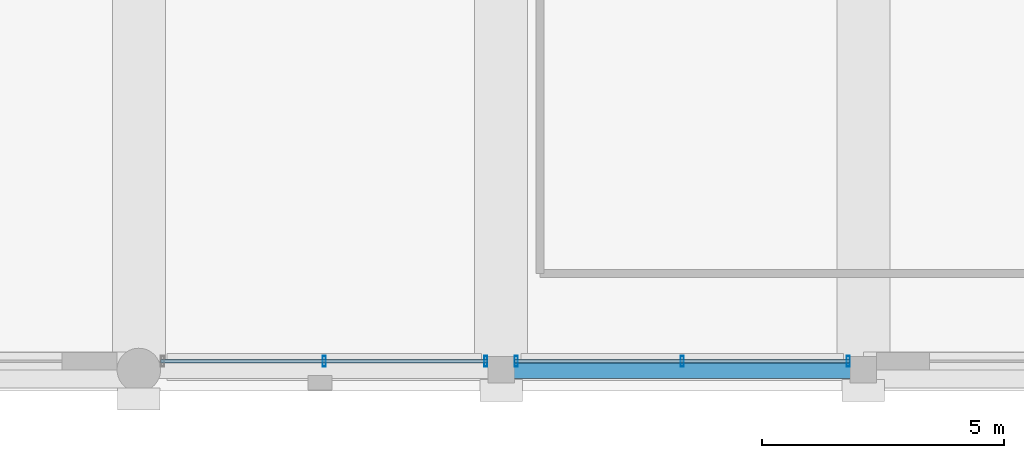
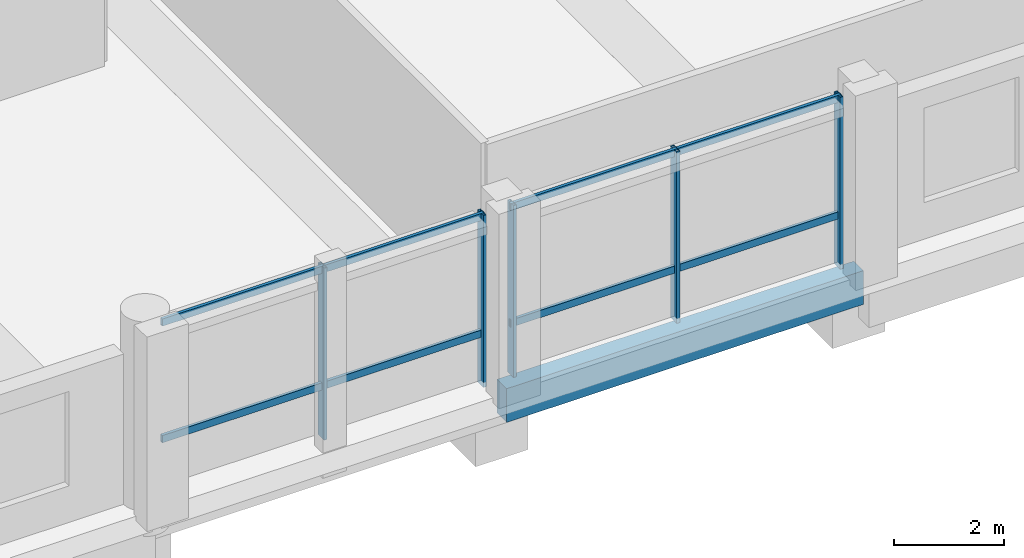
# One storey, part 15 of 68: 9 members, 1 beam, 2 elements without a shape of their own.
"""IFC4 building model written with IfcOpenShell, lengths in metres."""

from ifc_helpers import new_model, si_unit, direction, frame, origin, origin_2d, place, context, subcontext, project, spatial, rectangle, hollow_rectangle, extrude, material, material_profile, profile_set, type_object, element, aggregate, save


model = new_model("IFC4")

# Units and contexts
model_context = context("Model", 3, precision=1e-05, world=origin(), true_north=direction((0.0, 1.0)))
body_context = subcontext(model_context, "Body", "Model", "MODEL_VIEW")
ifc_project = project(units=[si_unit("LENGTHUNIT", "METRE"), si_unit("AREAUNIT", "SQUARE_METRE"), si_unit("VOLUMEUNIT", "CUBIC_METRE"), si_unit("PLANEANGLEUNIT", "RADIAN"), si_unit("MASSUNIT", "GRAM", prefix="KILO")], contexts=[model_context])

# Site, building, storey
site_placement = place(None, origin())
site = spatial("IfcSite", under=ifc_project, at=site_placement, CompositionType="ELEMENT")
building_placement = place(site_placement, origin())
building = spatial("IfcBuilding", under=site, at=building_placement, Name="Akrevak Sports Hall", CompositionType="ELEMENT")
storey_placement = place(building_placement, frame((0.0, 0.0, 9.39990234375)))
storey = spatial("IfcBuildingStorey", under=building, at=storey_placement, Name="L02", CompositionType="ELEMENT", Elevation=9.39990234375)

# Curtain wall, members
ifc_material_1 = material(Name="Anodized Bronze Aluminium & Low-E Glass", Category="aluminium")
curtain_wall_type = type_object("IfcCurtainWallType", Name="ARC-CW-POD-70x42", PredefinedType="NOTDEFINED", material=ifc_material_1)
curtain_wall_1_placement = place(storey_placement, origin())
curtain_wall_1 = element("IfcCurtainWall", 1, at=curtain_wall_1_placement, inside=storey, type_object=curtain_wall_type, Name="Curtain Wall CW-L02-S03", PredefinedType="NOTDEFINED")
ifc_material_2 = material(Name="Anodized Bronze Aluminium", Category="aluminium")
ifc_material_profile_1 = material_profile(ifc_material_2, hollow_rectangle(XDim=0.06494140625, YDim=0.219970703125, WallThickness=0.00439453125, at=origin_2d()), Name="CWM 65x220", Category="aluminium")
ifc_profile_set_1 = profile_set([ifc_material_profile_1], Name="Anodized Bronze Aluminium")
member_type_1 = type_object("IfcMemberType", Name="ARC-CWM-70x160", PredefinedType="MULLION", material=ifc_profile_set_1)
member_1_placement = place(storey_placement, frame((33.83740234375, 0.179931640625, 0.0), z_axis=(0.0, 0.0, 1.0), x_axis=(1.0, 0.0, 0.0)))
member_1 = element("IfcMember", 2, at=member_1_placement, type_object=member_type_1, Name="Curtain Wall Mullion CW-L02-S03-M2", PredefinedType="MULLION", context=body_context, shape_type="SweptSolid", body=[
    extrude(hollow_rectangle(XDim=0.06494140625, YDim=0.219970703125, WallThickness=0.00439453125, at=origin_2d()), origin(), (0.0, 0.0, 1.0), 3.820068359375),
])
member_2_placement = place(storey_placement, frame((37.18505859375, 0.179931640625, 0.0), z_axis=(0.0, 0.0, 1.0), x_axis=(1.0, 0.0, 0.0)))
member_2 = element("IfcMember", 3, at=member_2_placement, type_object=member_type_1, Name="Curtain Wall Mullion CW-L02-S03-M3", PredefinedType="MULLION", context=body_context, shape_type="SweptSolid", body=[
    extrude(hollow_rectangle(XDim=0.06494140625, YDim=0.219970703125, WallThickness=0.00439453125, at=origin_2d()), origin(), (0.0, 0.0, 1.0), 3.820068359375),
])

curtain_wall_2_placement = place(storey_placement, origin())
curtain_wall_2 = element("IfcCurtainWall", 4, at=curtain_wall_2_placement, inside=storey, type_object=curtain_wall_type, Name="Curtain Wall CW-L02-S04", PredefinedType="NOTDEFINED")
member_3_placement = place(storey_placement, frame((37.81494140625, 0.179931640625, 0.0), z_axis=(0.0, 0.0, 1.0), x_axis=(1.0, 0.0, 0.0)))
member_3 = element("IfcMember", 5, at=member_3_placement, type_object=member_type_1, Name="Curtain Wall Mullion CW-L02-S04-M1", PredefinedType="MULLION", context=body_context, shape_type="SweptSolid", body=[
    extrude(hollow_rectangle(XDim=0.06494140625, YDim=0.219970703125, WallThickness=0.00439453125, at=origin_2d()), origin(), (0.0, 0.0, 1.0), 3.820068359375),
])
member_4_placement = place(storey_placement, frame((41.25, 0.179931640625, 0.0), z_axis=(0.0, 0.0, 1.0), x_axis=(1.0, 0.0, 0.0)))
member_4 = element("IfcMember", 6, at=member_4_placement, type_object=member_type_1, Name="Curtain Wall Mullion CW-L02-S04-M2", PredefinedType="MULLION", context=body_context, shape_type="SweptSolid", body=[
    extrude(hollow_rectangle(XDim=0.06494140625, YDim=0.219970703125, WallThickness=0.00439453125, at=origin_2d()), origin(), (0.0, 0.0, 1.0), 3.820068359375),
])
member_5_placement = place(storey_placement, frame((44.68505859375, 0.179931640625, 0.0), z_axis=(0.0, 0.0, 1.0), x_axis=(1.0, 0.0, 0.0)))
member_5 = element("IfcMember", 7, at=member_5_placement, type_object=member_type_1, Name="Curtain Wall Mullion CW-L02-S04-M3", PredefinedType="MULLION", context=body_context, shape_type="SweptSolid", body=[
    extrude(hollow_rectangle(XDim=0.06494140625, YDim=0.219970703125, WallThickness=0.00439453125, at=origin_2d()), origin(), (0.0, 0.0, 1.0), 3.820068359375),
])

# Member
ifc_material_profile_2 = material_profile(ifc_material_2, hollow_rectangle(XDim=0.06494140625, YDim=0.159912109375, WallThickness=0.00390625, at=origin_2d()), Name="CWT 65x160", Category="aluminium")
ifc_profile_set_2 = profile_set([ifc_material_profile_2], Name="Anodized Bronze Aluminium")
member_type_2 = type_object("IfcMemberType", Name="ARC-CWT-70x130", PredefinedType="USERDEFINED", material=ifc_profile_set_2)
member_6_placement = place(storey_placement, frame((30.449951171875, 0.179931640625, 1.150146484375), z_axis=(1.0, 0.0, 0.0), x_axis=(0.0, 1.0, 0.0)))
member_6 = element("IfcMember", 8, at=member_6_placement, type_object=member_type_2, Name="Curtain Wall Transom CW-L02-S03-T1", ObjectType="TRANSOM", PredefinedType="USERDEFINED", context=body_context, shape_type="SweptSolid", body=[
    extrude(hollow_rectangle(XDim=0.06494140625, YDim=0.159912109375, WallThickness=0.00390625, at=origin_2d()), origin(), (0.0, 0.0, 1.0), 6.775146484375),
])

member_7_placement = place(storey_placement, frame((30.449951171875, 0.179931640625, 3.739990234375), z_axis=(1.0, 0.0, 0.0), x_axis=(0.0, 1.0, 0.0)))
member_7 = element("IfcMember", 9, at=member_7_placement, type_object=member_type_2, Name="Curtain Wall Transom CW-L02-S03-T2", ObjectType="TRANSOM", PredefinedType="USERDEFINED", context=body_context, shape_type="SweptSolid", body=[
    extrude(hollow_rectangle(XDim=0.06494140625, YDim=0.159912109375, WallThickness=0.00390625, at=origin_2d()), origin(), (0.0, 0.0, 1.0), 6.775146484375),
])

aggregate(curtain_wall_1, [member_1, member_2, member_6, member_7])

member_8_placement = place(storey_placement, frame((37.77490234375, 0.179931640625, 1.150146484375), z_axis=(1.0, 0.0, 0.0), x_axis=(0.0, 1.0, 0.0)))
member_8 = element("IfcMember", 10, at=member_8_placement, type_object=member_type_2, Name="Curtain Wall Transom CW-L02-S04-T1", ObjectType="TRANSOM", PredefinedType="USERDEFINED", context=body_context, shape_type="SweptSolid", body=[
    extrude(hollow_rectangle(XDim=0.06494140625, YDim=0.159912109375, WallThickness=0.00390625, at=origin_2d()), origin(), (0.0, 0.0, 1.0), 6.9501953125),
])

member_9_placement = place(storey_placement, frame((37.77490234375, 0.179931640625, 3.739990234375), z_axis=(1.0, 0.0, 0.0), x_axis=(0.0, 1.0, 0.0)))
member_9 = element("IfcMember", 11, at=member_9_placement, type_object=member_type_2, Name="Curtain Wall Transom CW-L02-S04-T2", ObjectType="TRANSOM", PredefinedType="USERDEFINED", context=body_context, shape_type="SweptSolid", body=[
    extrude(hollow_rectangle(XDim=0.06494140625, YDim=0.159912109375, WallThickness=0.00390625, at=origin_2d()), origin(), (0.0, 0.0, 1.0), 6.9501953125),
])

aggregate(curtain_wall_2, [member_3, member_4, member_5, member_8, member_9])

# Beam
ifc_material_3 = material(Name="Concrete C40/50", Category="concrete")
ifc_material_profile_3 = material_profile(ifc_material_3, rectangle(XDim=0.35009765625, YDim=0.75, at=origin_2d()), Name="SPD 350x750", Category="concrete")
ifc_profile_set_3 = profile_set([ifc_material_profile_3], Name="Concrete C40/50")
beam_type = type_object("IfcBeamType", Name="STR-SPD-RC350x750", PredefinedType="SPANDREL", material=ifc_profile_set_3)
beam_placement = place(storey_placement, frame((37.5, 0.0, -0.375), z_axis=(1.0, 0.0, 0.0), x_axis=(0.0, 1.0, 0.0)))
element("IfcBeam", 12, at=beam_placement, inside=storey, type_object=beam_type, Name="Girder A/6-7 (L02)", PredefinedType="SPANDREL", context=body_context, shape_type="SweptSolid", body=[
    extrude(rectangle(XDim=0.35009765625, YDim=0.75, at=origin_2d()), origin(), (0.0, 0.0, 1.0), 7.5),
])

save(model, "model.ifc")
